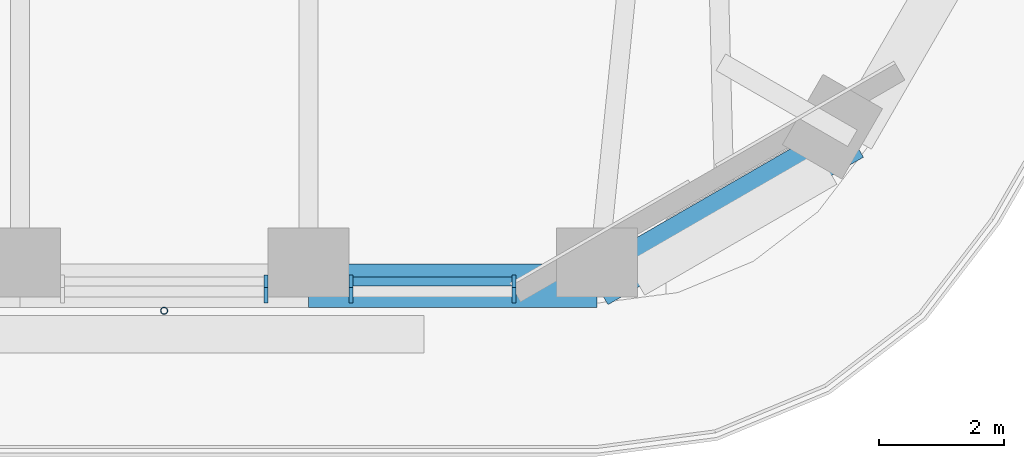
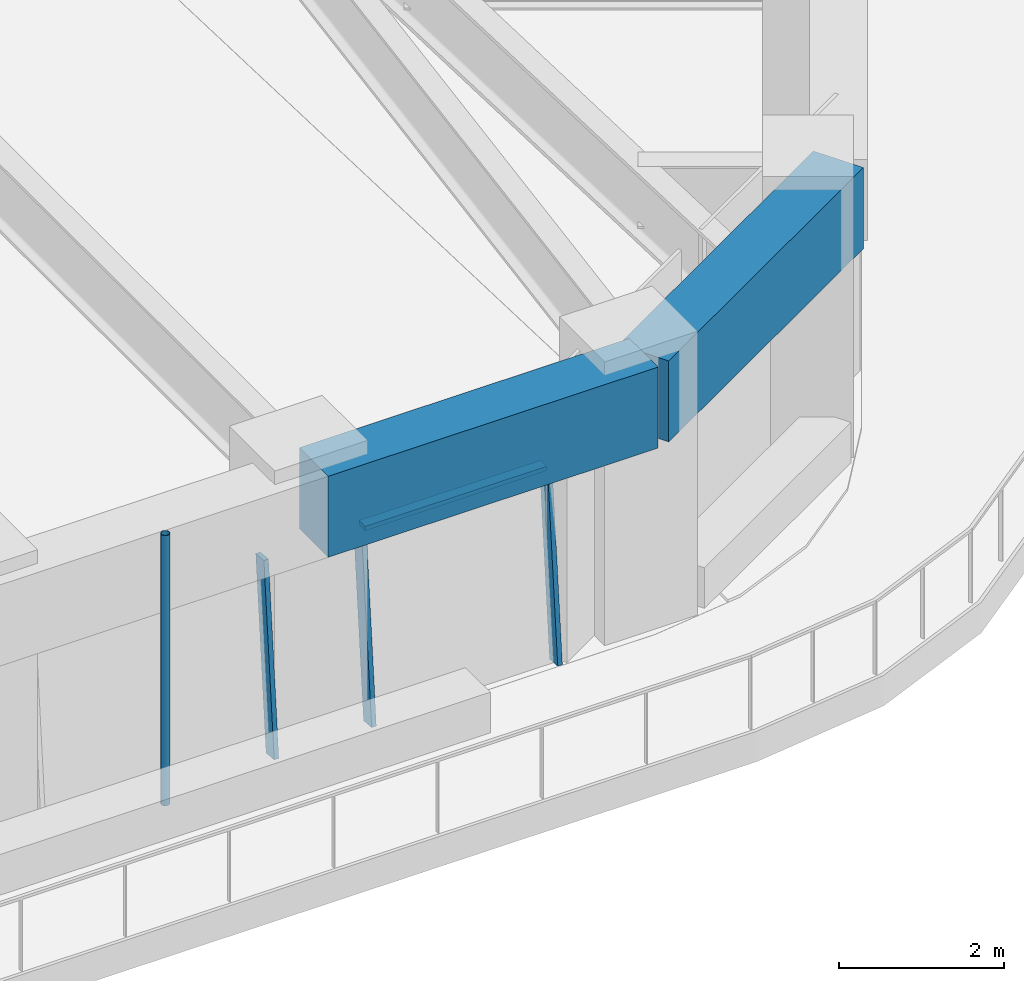
# One storey, part 4 of 20: 5 members, 2 beams, 2 elements without a shape of their own.
"""IFC4 building model written with IfcOpenShell, lengths in metres."""

from ifc_helpers import new_model, si_unit, direction, frame, origin, origin_2d, place, context, subcontext, project, spatial, rectangle, hollow_circle, extrude, material, material_profile, profile_set, type_object, element, aggregate, save


model = new_model("IFC4")

# Units and contexts
model_context = context("Model", 3, precision=1e-05, world=origin(), true_north=direction((0.0, 1.0)))
body_context = subcontext(model_context, "Body", "Model", "MODEL_VIEW")
ifc_project = project(units=[si_unit("LENGTHUNIT", "METRE"), si_unit("AREAUNIT", "SQUARE_METRE"), si_unit("VOLUMEUNIT", "CUBIC_METRE"), si_unit("PLANEANGLEUNIT", "RADIAN"), si_unit("MASSUNIT", "GRAM", prefix="KILO")], contexts=[model_context])

# Site, building, storey
site_placement = place(None, origin())
site = spatial("IfcSite", under=ifc_project, at=site_placement, CompositionType="ELEMENT")
building_placement = place(site_placement, origin())
building = spatial("IfcBuilding", under=site, at=building_placement, Name="Tarfa Lantern Tower", CompositionType="ELEMENT")
storey_placement = place(building_placement, frame((0.0, 0.0, 253.300048828125)))
storey = spatial("IfcBuildingStorey", under=building, at=storey_placement, Name="L57", CompositionType="ELEMENT", Elevation=253.300048828125)

# Curtain wall, member
ifc_material_1 = material(Name="Aluminium framed curtain wall", Category="aluminium")
curtain_wall_type = type_object("IfcCurtainWallType", Name="CW3 CANTED GLAZING HIGH ZONE 2800", PredefinedType="USERDEFINED", material=ifc_material_1)
curtain_wall_1_placement = place(storey_placement, origin())
curtain_wall_1 = element("IfcCurtainWall", 1, at=curtain_wall_1_placement, inside=storey, type_object=curtain_wall_type, Name="CW3 S L57", ObjectType="CURTAIN WALL", PredefinedType="USERDEFINED")
ifc_material_2 = material(Name="Aluminium mullion", Category="aluminium")
ifc_material_profile_1 = material_profile(ifc_material_2, rectangle(XDim=0.06494140625, YDim=0.199951171875, at=origin_2d()), Name="AL MULLION 65x200")
ifc_profile_set_1 = profile_set([ifc_material_profile_1], Name="Aluminium mullion")
member_type_1 = type_object("IfcMemberType", Name="CWM1 MULLION 65x200", PredefinedType="MULLION", material=ifc_profile_set_1)
member_1_placement = place(storey_placement, frame((8.55517578125, -28.89990234375, 0.0), z_axis=(0.0, 0.088930399417, 0.996037842685), x_axis=(-1.0, 0.0, 0.0)))
member_1 = element("IfcMember", 2, at=member_1_placement, type_object=member_type_1, Name="CW3 mullion 2", PredefinedType="MULLION", context=body_context, shape_type="SweptSolid", body=[
    extrude(rectangle(XDim=0.06494140625, YDim=0.199951171875, at=origin_2d()), origin(), (0.0, 0.0, 1.0), 2.811279296875),
])
aggregate(curtain_wall_1, [member_1])

# Curtain wall, members
curtain_wall_2_placement = place(storey_placement, origin())
curtain_wall_2 = element("IfcCurtainWall", 3, at=curtain_wall_2_placement, inside=storey, type_object=curtain_wall_type, Name="CW3 S L57", ObjectType="CURTAIN WALL", PredefinedType="USERDEFINED")
member_2_placement = place(storey_placement, frame((9.920166015625, -28.89990234375, 0.0), z_axis=(0.0, 0.088930399417, 0.996037842685), x_axis=(-1.0, 0.0, 0.0)))
member_2 = element("IfcMember", 4, at=member_2_placement, type_object=member_type_1, Name="CW3 mullion 1", PredefinedType="MULLION", context=body_context, shape_type="SweptSolid", body=[
    extrude(rectangle(XDim=0.06494140625, YDim=0.199951171875, at=origin_2d()), origin(), (0.0, 0.0, 1.0), 2.811279296875),
])
member_3_placement = place(storey_placement, frame((12.52392578125, -28.89990234375, 0.0), z_axis=(0.0, 0.088930399417, 0.996037842685), x_axis=(-1.0, 0.0, 0.0)))
member_3 = element("IfcMember", 5, at=member_3_placement, type_object=member_type_1, Name="CW3 mullion 2", PredefinedType="MULLION", context=body_context, shape_type="SweptSolid", body=[
    extrude(rectangle(XDim=0.06494140625, YDim=0.199951171875, at=origin_2d()), origin(), (0.0, 0.0, 1.0), 2.811279296875),
])
ifc_material_3 = material(Name="Aluminium transom", Category="aluminium")
ifc_material_profile_2 = material_profile(ifc_material_3, rectangle(XDim=0.14990234375, YDim=0.06494140625, at=origin_2d()), Name="AL TRANSOM 150x65")
ifc_profile_set_2 = profile_set([ifc_material_profile_2], Name="Aluminium transom")
member_type_2 = type_object("IfcMemberType", Name="CWT1 TRANSOM 150x65", PredefinedType="USERDEFINED", material=ifc_profile_set_2)
member_4_placement = place(storey_placement, frame((9.95263671875, -28.65283203125, 2.767333984375), z_axis=(1.0, 0.0, 0.0), x_axis=(0.0, 1.0, 0.0)))
member_4 = element("IfcMember", 6, at=member_4_placement, type_object=member_type_2, Name="CW3 transom 1.2", ObjectType="TRANSOM", PredefinedType="USERDEFINED", context=body_context, shape_type="SweptSolid", body=[
    extrude(rectangle(XDim=0.14990234375, YDim=0.06494140625, at=origin_2d()), origin(), (0.0, 0.0, 1.0), 2.538818359375),
])
aggregate(curtain_wall_2, [member_2, member_3, member_4])

# Beams
ifc_material_4 = material(Name="Concrete C80/95", Category="concrete")
ifc_material_profile_3 = material_profile(ifc_material_4, rectangle(XDim=0.699951171875, YDim=1.199951171875, at=origin_2d()), Name="RC 700x1200")
ifc_profile_set_3 = profile_set([ifc_material_profile_3], Name="Concrete C80/95")
beam_type = type_object("IfcBeamType", Name="EB3 RC 700x1200", PredefinedType="SPANDREL", material=ifc_profile_set_3)
beam_1_placement = place(storey_placement, frame((9.237548828125, -28.719970703125, 3.39990234375), z_axis=(1.0, 0.0, 0.0), x_axis=(0.0, 1.0, 0.0)))
element("IfcBeam", 7, at=beam_1_placement, inside=storey, type_object=beam_type, Name="Edge beam S5", PredefinedType="SPANDREL", context=body_context, shape_type="SweptSolid", body=[
    extrude(rectangle(XDim=0.699951171875, YDim=1.199951171875, at=origin_2d()), origin(), (0.0, 0.0, 1.0), 4.618896484375),
])
beam_2_placement = place(storey_placement, frame((13.8564453125, -28.719970703125, 3.39990234375), z_axis=(0.866038294681, 0.499977671647, 0.0), x_axis=(-0.499977671647, 0.866038294681, 0.0)))
element("IfcBeam", 8, at=beam_2_placement, inside=storey, type_object=beam_type, Name="Edge beam S6", PredefinedType="SPANDREL", context=body_context, shape_type="SweptSolid", body=[
    extrude(rectangle(XDim=0.699951171875, YDim=1.199951171875, at=origin_2d()), origin(), (0.0, 0.0, 1.0), 4.719970703125),
])

# Member
ifc_material_5 = material(Name="Steel S355", Category="steel")
ifc_material_profile_4 = material_profile(ifc_material_5, hollow_circle(Radius=0.05712890625, WallThickness=0.00634765625, at=origin_2d()), Name="CHS114.3x6.3")
ifc_profile_set_4 = profile_set([ifc_material_profile_4], Name="Steel S355")
member_type_3 = type_object("IfcMemberType", Name="TR1 GREEN WALL TRELLIS CHS114.3x6.3", PredefinedType="USERDEFINED", material=ifc_profile_set_4)
member_5_placement = place(storey_placement, frame((6.92822265625, -29.1201171875, 0.0), z_axis=(0.0, 0.0, 1.0), x_axis=(1.0, 0.0, 0.0)))
element("IfcMember", 9, at=member_5_placement, inside=storey, type_object=member_type_3, Name="Trellis post S 2", ObjectType="TRELLIS", PredefinedType="USERDEFINED", context=body_context, shape_type="SweptSolid", body=[
    extrude(hollow_circle(Radius=0.05712890625, WallThickness=0.00634765625, at=origin_2d()), origin(), (0.0, 0.0, 1.0), 4.0),
])

save(model, "model.ifc")
